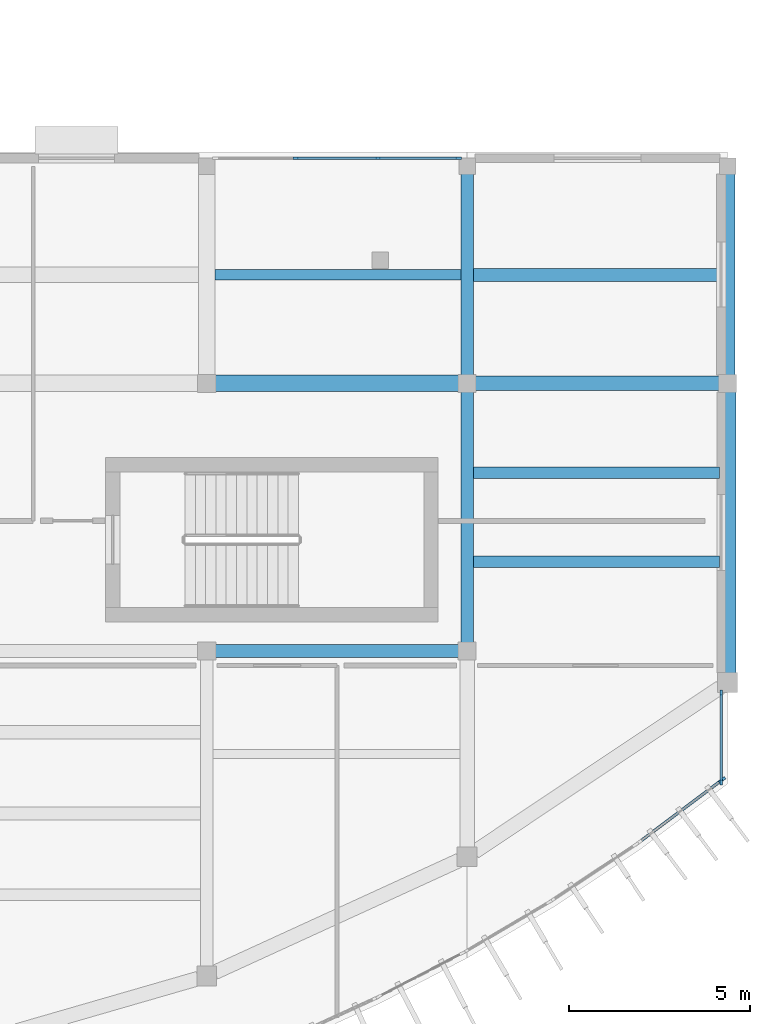
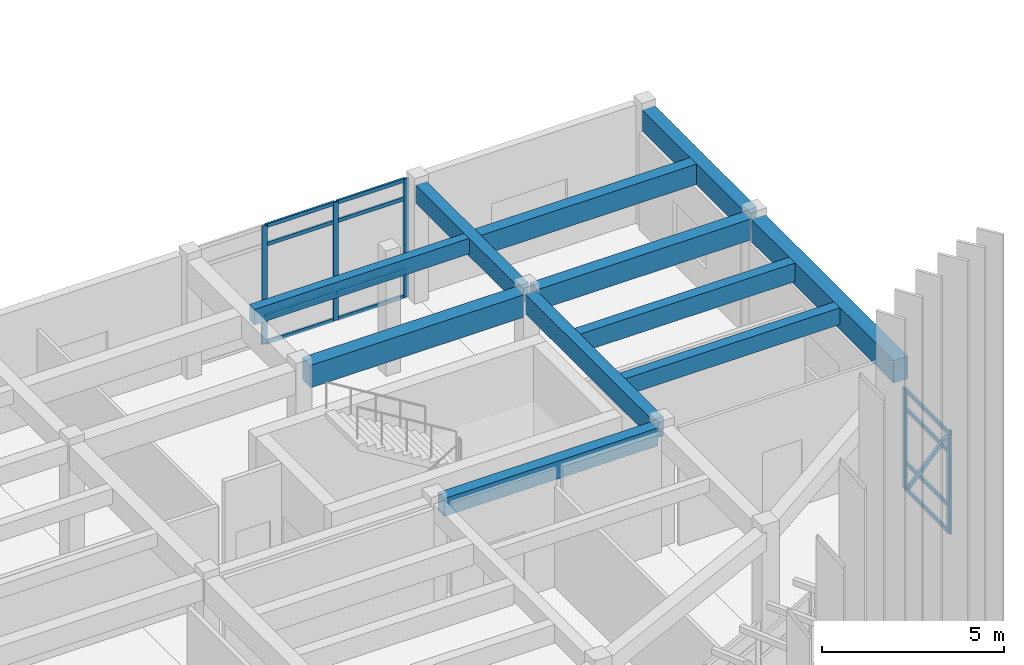
# One storey, part 22 of 47: 19 members, 11 beams, 3 elements without a shape of their own.
"""IFC4 building model written with IfcOpenShell, lengths in metres."""

from ifc_helpers import new_model, si_unit, direction, frame, origin, origin_2d, place, context, subcontext, project, spatial, rectangle, extrude, material, layer, layer_set, material_profile, profile_set, type_object, element, aggregate, save


model = new_model("IFC4")

# Units and contexts
model_context = context("Model", 3, precision=1e-05, world=origin(), true_north=direction((0.0, 1.0)))
body_context = subcontext(model_context, "Body", "Model", "MODEL_VIEW")
ifc_project = project(units=[si_unit("LENGTHUNIT", "METRE"), si_unit("AREAUNIT", "SQUARE_METRE"), si_unit("VOLUMEUNIT", "CUBIC_METRE"), si_unit("PLANEANGLEUNIT", "RADIAN"), si_unit("MASSUNIT", "GRAM", prefix="KILO")], contexts=[model_context])

# Site, building, storey
site_placement = place(None, origin())
site = spatial("IfcSite", under=ifc_project, at=site_placement, CompositionType="ELEMENT")
building_placement = place(site_placement, origin())
building = spatial("IfcBuilding", under=site, at=building_placement, Name="Brisavento Harbour Community Centre", CompositionType="ELEMENT")
storey_placement = place(building_placement, frame((0.0, 0.0, 8.699951171875)))
storey = spatial("IfcBuildingStorey", under=building, at=storey_placement, Name="L02", CompositionType="ELEMENT", Elevation=8.699951171875)

# Beams
ifc_material_1 = material(Name="Concrete C35/45", Category="concrete")
ifc_material_profile_1 = material_profile(ifc_material_1, rectangle(XDim=0.280029296875, YDim=0.52001953125, at=origin_2d()), Name="Concrete C35/45")
ifc_profile_set_1 = profile_set([ifc_material_profile_1], Name="Concrete C35/45")
beam_type_1 = type_object("IfcBeamType", Name="BM-JST-280x520", PredefinedType="JOIST", material=ifc_profile_set_1)
beam_1_placement = place(storey_placement, frame((158.625, 25.39990234375, 3.699951171875), z_axis=(1.0, 0.0, 0.0), x_axis=(0.0, 1.0, 0.0)))
element("IfcBeam", 1, at=beam_1_placement, inside=storey, type_object=beam_type_1, Name="L02 secondary floor joist 0322", PredefinedType="JOIST", context=body_context, shape_type="SweptSolid", body=[
    extrude(rectangle(XDim=0.280029296875, YDim=0.52001953125, at=origin_2d()), origin(), (0.0, 0.0, 1.0), 6.800048828125),
])
ifc_material_profile_2 = material_profile(ifc_material_1, rectangle(XDim=0.320068359375, YDim=0.56005859375, at=origin_2d()), Name="Concrete C35/45")
ifc_profile_set_2 = profile_set([ifc_material_profile_2], Name="Concrete C35/45")
beam_type_2 = type_object("IfcBeamType", Name="BM-JST-320x560", PredefinedType="JOIST", material=ifc_profile_set_2)
beam_2_placement = place(storey_placement, frame((165.77490234375, 17.466796875, 3.679931640625), z_axis=(1.0, 0.0, 0.0), x_axis=(0.0, 1.0, 0.0)))
element("IfcBeam", 2, at=beam_2_placement, inside=storey, type_object=beam_type_2, Name="L02 secondary floor joist 0325", PredefinedType="JOIST", context=body_context, shape_type="SweptSolid", body=[
    extrude(rectangle(XDim=0.320068359375, YDim=0.56005859375, at=origin_2d()), origin(), (0.0, 0.0, 1.0), 6.800048828125),
])
ifc_material_profile_3 = material_profile(ifc_material_1, rectangle(XDim=0.320068359375, YDim=0.6201171875, at=origin_2d()), Name="Concrete C35/45")
ifc_profile_set_3 = profile_set([ifc_material_profile_3], Name="Concrete C35/45")
beam_type_3 = type_object("IfcBeamType", Name="BM-JST-320x620", PredefinedType="JOIST", material=ifc_profile_set_3)
beam_3_placement = place(storey_placement, frame((165.77490234375, 19.933349609375, 3.650146484375), z_axis=(1.0, 0.0, 0.0), x_axis=(0.0, 1.0, 0.0)))
element("IfcBeam", 3, at=beam_3_placement, inside=storey, type_object=beam_type_3, Name="L02 secondary floor joist 0326", PredefinedType="JOIST", context=body_context, shape_type="SweptSolid", body=[
    extrude(rectangle(XDim=0.320068359375, YDim=0.6201171875, at=origin_2d()), origin(), (0.0, 0.0, 1.0), 6.800048828125),
])
ifc_material_profile_4 = material_profile(ifc_material_1, rectangle(XDim=0.360107421875, YDim=0.679931640625, at=origin_2d()), Name="Concrete C35/45")
ifc_profile_set_4 = profile_set([ifc_material_profile_4], Name="Concrete C35/45")
beam_type_4 = type_object("IfcBeamType", Name="BM-JST-360x680", PredefinedType="JOIST", material=ifc_profile_set_4)
beam_4_placement = place(storey_placement, frame((165.77490234375, 25.39990234375, 3.6201171875), z_axis=(1.0, 0.0, 0.0), x_axis=(0.0, 1.0, 0.0)))
element("IfcBeam", 4, at=beam_4_placement, inside=storey, type_object=beam_type_4, Name="L02 secondary floor joist 0327", PredefinedType="JOIST", context=body_context, shape_type="SweptSolid", body=[
    extrude(rectangle(XDim=0.360107421875, YDim=0.679931640625, at=origin_2d()), origin(), (0.0, 0.0, 1.0), 6.8251953125),
])
ifc_material_profile_5 = material_profile(ifc_material_1, rectangle(XDim=0.35009765625, YDim=0.60009765625, at=origin_2d()), Name="Concrete C35/45")
ifc_profile_set_5 = profile_set([ifc_material_profile_5], Name="Concrete C35/45")
beam_type_5 = type_object("IfcBeamType", Name="BM-RC-350x600", PredefinedType="BEAM", material=ifc_profile_set_5)
beam_5_placement = place(storey_placement, frame((158.6201171875, 15.0, 3.66015625), z_axis=(1.0, 0.0, 0.0), x_axis=(0.0, 1.0, 0.0)))
element("IfcBeam", 5, at=beam_5_placement, inside=storey, type_object=beam_type_5, Name="L02 primary girder X0554", PredefinedType="BEAM", context=body_context, shape_type="SweptSolid", body=[
    extrude(rectangle(XDim=0.35009765625, YDim=0.60009765625, at=origin_2d()), origin(), (0.0, 0.0, 1.0), 6.759765625),
])
beam_6_placement = place(storey_placement, frame((165.60009765625, 22.6201171875, 3.66015625), z_axis=(0.0, 1.0, 0.0), x_axis=(-1.0, 0.0, 0.0)))
element("IfcBeam", 6, at=beam_6_placement, inside=storey, type_object=beam_type_5, Name="L02 primary girder Y0629", PredefinedType="BEAM", context=body_context, shape_type="SweptSolid", body=[
    extrude(rectangle(XDim=0.35009765625, YDim=0.60009765625, at=origin_2d()), origin(), (0.0, 0.0, 1.0), 5.5849609375),
])
ifc_material_profile_6 = material_profile(ifc_material_1, rectangle(XDim=0.35009765625, YDim=0.64990234375, at=origin_2d()), Name="Concrete C35/45")
ifc_profile_set_6 = profile_set([ifc_material_profile_6], Name="Concrete C35/45")
beam_type_6 = type_object("IfcBeamType", Name="BM-RC-350x650", PredefinedType="BEAM", material=ifc_profile_set_6)
beam_7_placement = place(storey_placement, frame((165.60009765625, 15.219970703125, 3.635009765625), z_axis=(0.0, 1.0, 0.0), x_axis=(-1.0, 0.0, 0.0)))
element("IfcBeam", 7, at=beam_7_placement, inside=storey, type_object=beam_type_6, Name="L02 primary girder Y0628", PredefinedType="BEAM", context=body_context, shape_type="SweptSolid", body=[
    extrude(rectangle(XDim=0.35009765625, YDim=0.64990234375, at=origin_2d()), origin(), (0.0, 0.0, 1.0), 6.9599609375),
])
ifc_material_profile_7 = material_profile(ifc_material_1, rectangle(XDim=0.39990234375, YDim=0.699951171875, at=origin_2d()), Name="Concrete C35/45")
ifc_profile_set_7 = profile_set([ifc_material_profile_7], Name="Concrete C35/45")
beam_type_7 = type_object("IfcBeamType", Name="BM-RC-400x700", PredefinedType="BEAM", material=ifc_profile_set_7)
beam_8_placement = place(storey_placement, frame((165.820068359375, 22.39990234375, 3.610107421875), z_axis=(1.0, 0.0, 0.0), x_axis=(0.0, 1.0, 0.0)))
element("IfcBeam", 8, at=beam_8_placement, inside=storey, type_object=beam_type_7, Name="L02 primary girder X0562", PredefinedType="BEAM", context=body_context, shape_type="SweptSolid", body=[
    extrude(rectangle(XDim=0.39990234375, YDim=0.699951171875, at=origin_2d()), origin(), (0.0, 0.0, 1.0), 6.760009765625),
])
beam_9_placement = place(storey_placement, frame((172.800048828125, 22.6201171875, 3.610107421875), z_axis=(0.0, 1.0, 0.0), x_axis=(-1.0, 0.0, 0.0)))
element("IfcBeam", 9, at=beam_9_placement, inside=storey, type_object=beam_type_7, Name="L02 primary girder Y0632", PredefinedType="BEAM", context=body_context, shape_type="SweptSolid", body=[
    extrude(rectangle(XDim=0.39990234375, YDim=0.699951171875, at=origin_2d()), origin(), (0.0, 0.0, 1.0), 5.5849609375),
])
ifc_material_profile_8 = material_profile(ifc_material_1, rectangle(XDim=0.449951171875, YDim=0.75, at=origin_2d()), Name="Concrete C35/45")
ifc_profile_set_8 = profile_set([ifc_material_profile_8], Name="Concrete C35/45")
beam_type_8 = type_object("IfcBeamType", Name="BM-RC-450x750", PredefinedType="BEAM", material=ifc_profile_set_8)
beam_10_placement = place(storey_placement, frame((158.6201171875, 22.39990234375, 3.5849609375), z_axis=(1.0, 0.0, 0.0), x_axis=(0.0, 1.0, 0.0)))
element("IfcBeam", 10, at=beam_10_placement, inside=storey, type_object=beam_type_8, Name="L02 primary girder X0561", PredefinedType="BEAM", context=body_context, shape_type="SweptSolid", body=[
    extrude(rectangle(XDim=0.449951171875, YDim=0.75, at=origin_2d()), origin(), (0.0, 0.0, 1.0), 6.759765625),
])
beam_11_placement = place(storey_placement, frame((172.800048828125, 14.373046875, 3.5849609375), z_axis=(0.0, 1.0, 0.0), x_axis=(-1.0, 0.0, 0.0)))
element("IfcBeam", 11, at=beam_11_placement, inside=storey, type_object=beam_type_8, Name="L02 primary girder Y0631", PredefinedType="BEAM", context=body_context, shape_type="SweptSolid", body=[
    extrude(rectangle(XDim=0.449951171875, YDim=0.75, at=origin_2d()), origin(), (0.0, 0.0, 1.0), 7.806884765625),
])

# Curtain wall, members
ifc_material_2 = material(Name="Marine-anodised aluminium AW-6063-T6", Category="aluminium")
ifc_layer_1 = layer(ifc_material_2, 0.179931640625, Name="Marine-anodised aluminium AW-6063-T6")
ifc_layer_set_1 = layer_set([ifc_layer_1], Name="Marine-anodised aluminium AW-6063-T6")
curtain_wall_type_1 = type_object("IfcCurtainWallType", Name="CW-SYS-05", PredefinedType="USERDEFINED", material=ifc_layer_set_1)
curtain_wall_1_placement = place(storey_placement, origin())
curtain_wall_1 = element("IfcCurtainWall", 12, at=curtain_wall_1_placement, inside=storey, type_object=curtain_wall_type_1, Name="L02 V3 unitised curtain wall 145", ObjectType="UNITISED CURTAIN WALL", PredefinedType="USERDEFINED")
ifc_material_profile_9 = material_profile(ifc_material_2, rectangle(XDim=0.06494140625, YDim=0.1650390625, at=origin_2d()), Name="Marine-anodised aluminium AW-6063-T6")
ifc_profile_set_9 = profile_set([ifc_material_profile_9], Name="Marine-anodised aluminium AW-6063-T6")
member_type_1 = type_object("IfcMemberType", Name="CWM-01", PredefinedType="MULLION", material=ifc_profile_set_9)
member_1_placement = place(storey_placement, frame((172.6201171875, 13.83544921875, 0.0), z_axis=(0.0, 0.0, 1.0), x_axis=(1.0, 0.0, 0.0)))
member_1 = element("IfcMember", 13, at=member_1_placement, type_object=member_type_1, Name="CW-05 mullion 1", PredefinedType="MULLION", context=body_context, shape_type="SweptSolid", body=[
    extrude(rectangle(XDim=0.06494140625, YDim=0.1650390625, at=origin_2d()), origin(), (0.0, 0.0, 1.0), 3.360107421875),
])
member_2_placement = place(storey_placement, frame((172.6201171875, 11.378173828125, 0.0), z_axis=(0.0, 0.0, 1.0), x_axis=(1.0, 0.0, 0.0)))
member_2 = element("IfcMember", 14, at=member_2_placement, type_object=member_type_1, Name="CW-05 mullion 2", PredefinedType="MULLION", context=body_context, shape_type="SweptSolid", body=[
    extrude(rectangle(XDim=0.06494140625, YDim=0.1650390625, at=origin_2d()), origin(), (0.0, 0.0, 1.0), 3.360107421875),
])

ifc_layer_2 = layer(ifc_material_2, 0.179931640625, Name="Marine-anodised aluminium AW-6063-T6")
ifc_layer_set_2 = layer_set([ifc_layer_2], Name="Marine-anodised aluminium AW-6063-T6")
curtain_wall_type_2 = type_object("IfcCurtainWallType", Name="CW-SYS-09", PredefinedType="USERDEFINED", material=ifc_layer_set_2)
curtain_wall_2_placement = place(storey_placement, origin())
curtain_wall_2 = element("IfcCurtainWall", 15, at=curtain_wall_2_placement, inside=storey, type_object=curtain_wall_type_2, Name="L02 V3 unitised curtain wall 149", ObjectType="UNITISED CURTAIN WALL", PredefinedType="USERDEFINED")
member_3_placement = place(storey_placement, frame((160.8701171875, 28.6201171875, 0.0), z_axis=(0.0, 0.0, 1.0), x_axis=(0.0, 1.0, 0.0)))
member_3 = element("IfcMember", 16, at=member_3_placement, type_object=member_type_1, Name="CW-09 mullion 2", PredefinedType="MULLION", context=body_context, shape_type="SweptSolid", body=[
    extrude(rectangle(XDim=0.06494140625, YDim=0.1650390625, at=origin_2d()), origin(), (0.0, 0.0, 1.0), 3.9599609375),
])
member_4_placement = place(storey_placement, frame((163.1298828125, 28.6201171875, 0.0), z_axis=(0.0, 0.0, 1.0), x_axis=(0.0, 1.0, 0.0)))
member_4 = element("IfcMember", 17, at=member_4_placement, type_object=member_type_1, Name="CW-09 mullion 3", PredefinedType="MULLION", context=body_context, shape_type="SweptSolid", body=[
    extrude(rectangle(XDim=0.06494140625, YDim=0.1650390625, at=origin_2d()), origin(), (0.0, 0.0, 1.0), 3.9599609375),
])
member_5_placement = place(storey_placement, frame((165.357421875, 28.6201171875, 0.0), z_axis=(0.0, 0.0, 1.0), x_axis=(0.0, 1.0, 0.0)))
member_5 = element("IfcMember", 18, at=member_5_placement, type_object=member_type_1, Name="CW-09 mullion 4", PredefinedType="MULLION", context=body_context, shape_type="SweptSolid", body=[
    extrude(rectangle(XDim=0.06494140625, YDim=0.1650390625, at=origin_2d()), origin(), (0.0, 0.0, 1.0), 3.9599609375),
])

# Curtain wall, member
ifc_layer_3 = layer(ifc_material_2, 0.179931640625, Name="Marine-anodised aluminium AW-6063-T6")
ifc_layer_set_3 = layer_set([ifc_layer_3], Name="Marine-anodised aluminium AW-6063-T6")
curtain_wall_type_3 = type_object("IfcCurtainWallType", Name="CW-SYS-04", PredefinedType="USERDEFINED", material=ifc_layer_set_3)
curtain_wall_3_placement = place(storey_placement, origin())
curtain_wall_3 = element("IfcCurtainWall", 19, at=curtain_wall_3_placement, inside=storey, type_object=curtain_wall_type_3, Name="L02 V3 unitised curtain wall 144", ObjectType="UNITISED CURTAIN WALL", PredefinedType="USERDEFINED")
ifc_material_profile_10 = material_profile(ifc_material_2, rectangle(XDim=0.080078125, YDim=0.2099609375, at=origin_2d()), Name="Marine-anodised aluminium AW-6063-T6")
ifc_profile_set_10 = profile_set([ifc_material_profile_10], Name="Marine-anodised aluminium AW-6063-T6")
member_type_2 = type_object("IfcMemberType", Name="CWM-04", PredefinedType="MULLION", material=ifc_profile_set_10)
member_6_placement = place(storey_placement, frame((172.6455078125, 11.436767578125, 0.0), z_axis=(0.0, 0.0, 1.0), x_axis=(0.600259014917, -0.79980567328, 0.0)))
member_6 = element("IfcMember", 20, at=member_6_placement, type_object=member_type_2, Name="CW-04 mullion 1", PredefinedType="MULLION", context=body_context, shape_type="SweptSolid", body=[
    extrude(rectangle(XDim=0.080078125, YDim=0.2099609375, at=origin_2d()), origin(), (0.0, 0.0, 1.0), 3.360107421875),
])

# Member
ifc_material_profile_11 = material_profile(ifc_material_2, rectangle(XDim=0.06494140625, YDim=0.125, at=origin_2d()), Name="Marine-anodised aluminium AW-6063-T6")
ifc_profile_set_11 = profile_set([ifc_material_profile_11], Name="Marine-anodised aluminium AW-6063-T6")
member_type_3 = type_object("IfcMemberType", Name="CWT-01", PredefinedType="USERDEFINED", material=ifc_profile_set_11)
member_7_placement = place(storey_placement, frame((172.6201171875, 13.802978515625, 0.032470703125), z_axis=(0.0, -1.0, 0.0), x_axis=(1.0, 0.0, 0.0)))
member_7 = element("IfcMember", 21, at=member_7_placement, type_object=member_type_3, Name="CW-05 transom 1.1", ObjectType="TRANSOM", PredefinedType="USERDEFINED", context=body_context, shape_type="SweptSolid", body=[
    extrude(rectangle(XDim=0.06494140625, YDim=0.125, at=origin_2d()), origin(), (0.0, 0.0, 1.0), 2.392333984375),
])

member_8_placement = place(storey_placement, frame((172.6201171875, 13.802978515625, 0.900146484375), z_axis=(0.0, -1.0, 0.0), x_axis=(1.0, 0.0, 0.0)))
member_8 = element("IfcMember", 22, at=member_8_placement, type_object=member_type_3, Name="CW-05 transom 1.2", ObjectType="TRANSOM", PredefinedType="USERDEFINED", context=body_context, shape_type="SweptSolid", body=[
    extrude(rectangle(XDim=0.06494140625, YDim=0.125, at=origin_2d()), origin(), (0.0, 0.0, 1.0), 2.392333984375),
])

member_9_placement = place(storey_placement, frame((172.6201171875, 13.802978515625, 2.7099609375), z_axis=(0.0, -1.0, 0.0), x_axis=(1.0, 0.0, 0.0)))
member_9 = element("IfcMember", 23, at=member_9_placement, type_object=member_type_3, Name="CW-05 transom 1.3", ObjectType="TRANSOM", PredefinedType="USERDEFINED", context=body_context, shape_type="SweptSolid", body=[
    extrude(rectangle(XDim=0.06494140625, YDim=0.125, at=origin_2d()), origin(), (0.0, 0.0, 1.0), 2.392333984375),
])

member_10_placement = place(storey_placement, frame((172.6201171875, 13.802978515625, 3.32763671875), z_axis=(0.0, -1.0, 0.0), x_axis=(1.0, 0.0, 0.0)))
member_10 = element("IfcMember", 24, at=member_10_placement, type_object=member_type_3, Name="CW-05 transom 1.4", ObjectType="TRANSOM", PredefinedType="USERDEFINED", context=body_context, shape_type="SweptSolid", body=[
    extrude(rectangle(XDim=0.06494140625, YDim=0.125, at=origin_2d()), origin(), (0.0, 0.0, 1.0), 2.392333984375),
])

aggregate(curtain_wall_1, [member_1, member_2, member_7, member_8, member_9, member_10])

member_11_placement = place(storey_placement, frame((160.902587890625, 28.6201171875, 0.032470703125), z_axis=(1.0, 0.0, 0.0), x_axis=(0.0, 1.0, 0.0)))
member_11 = element("IfcMember", 25, at=member_11_placement, type_object=member_type_3, Name="CW-09 transom 2.1", ObjectType="TRANSOM", PredefinedType="USERDEFINED", context=body_context, shape_type="SweptSolid", body=[
    extrude(rectangle(XDim=0.06494140625, YDim=0.125, at=origin_2d()), origin(), (0.0, 0.0, 1.0), 2.19482421875),
])

member_12_placement = place(storey_placement, frame((160.902587890625, 28.6201171875, 0.900146484375), z_axis=(1.0, 0.0, 0.0), x_axis=(0.0, 1.0, 0.0)))
member_12 = element("IfcMember", 26, at=member_12_placement, type_object=member_type_3, Name="CW-09 transom 2.2", ObjectType="TRANSOM", PredefinedType="USERDEFINED", context=body_context, shape_type="SweptSolid", body=[
    extrude(rectangle(XDim=0.06494140625, YDim=0.125, at=origin_2d()), origin(), (0.0, 0.0, 1.0), 2.19482421875),
])

member_13_placement = place(storey_placement, frame((160.902587890625, 28.6201171875, 3.31005859375), z_axis=(1.0, 0.0, 0.0), x_axis=(0.0, 1.0, 0.0)))
member_13 = element("IfcMember", 27, at=member_13_placement, type_object=member_type_3, Name="CW-09 transom 2.3", ObjectType="TRANSOM", PredefinedType="USERDEFINED", context=body_context, shape_type="SweptSolid", body=[
    extrude(rectangle(XDim=0.06494140625, YDim=0.125, at=origin_2d()), origin(), (0.0, 0.0, 1.0), 2.19482421875),
])

member_14_placement = place(storey_placement, frame((160.902587890625, 28.6201171875, 3.927490234375), z_axis=(1.0, 0.0, 0.0), x_axis=(0.0, 1.0, 0.0)))
member_14 = element("IfcMember", 28, at=member_14_placement, type_object=member_type_3, Name="CW-09 transom 2.4", ObjectType="TRANSOM", PredefinedType="USERDEFINED", context=body_context, shape_type="SweptSolid", body=[
    extrude(rectangle(XDim=0.06494140625, YDim=0.125, at=origin_2d()), origin(), (0.0, 0.0, 1.0), 2.19482421875),
])

member_15_placement = place(storey_placement, frame((163.16259765625, 28.6201171875, 0.032470703125), z_axis=(1.0, 0.0, 0.0), x_axis=(0.0, 1.0, 0.0)))
member_15 = element("IfcMember", 29, at=member_15_placement, type_object=member_type_3, Name="CW-09 transom 3.1", ObjectType="TRANSOM", PredefinedType="USERDEFINED", context=body_context, shape_type="SweptSolid", body=[
    extrude(rectangle(XDim=0.06494140625, YDim=0.125, at=origin_2d()), origin(), (0.0, 0.0, 1.0), 2.162353515625),
])

member_16_placement = place(storey_placement, frame((163.16259765625, 28.6201171875, 0.900146484375), z_axis=(1.0, 0.0, 0.0), x_axis=(0.0, 1.0, 0.0)))
member_16 = element("IfcMember", 30, at=member_16_placement, type_object=member_type_3, Name="CW-09 transom 3.2", ObjectType="TRANSOM", PredefinedType="USERDEFINED", context=body_context, shape_type="SweptSolid", body=[
    extrude(rectangle(XDim=0.06494140625, YDim=0.125, at=origin_2d()), origin(), (0.0, 0.0, 1.0), 2.162353515625),
])

member_17_placement = place(storey_placement, frame((163.16259765625, 28.6201171875, 3.31005859375), z_axis=(1.0, 0.0, 0.0), x_axis=(0.0, 1.0, 0.0)))
member_17 = element("IfcMember", 31, at=member_17_placement, type_object=member_type_3, Name="CW-09 transom 3.3", ObjectType="TRANSOM", PredefinedType="USERDEFINED", context=body_context, shape_type="SweptSolid", body=[
    extrude(rectangle(XDim=0.06494140625, YDim=0.125, at=origin_2d()), origin(), (0.0, 0.0, 1.0), 2.162353515625),
])

member_18_placement = place(storey_placement, frame((163.16259765625, 28.6201171875, 3.927490234375), z_axis=(1.0, 0.0, 0.0), x_axis=(0.0, 1.0, 0.0)))
member_18 = element("IfcMember", 32, at=member_18_placement, type_object=member_type_3, Name="CW-09 transom 3.4", ObjectType="TRANSOM", PredefinedType="USERDEFINED", context=body_context, shape_type="SweptSolid", body=[
    extrude(rectangle(XDim=0.06494140625, YDim=0.125, at=origin_2d()), origin(), (0.0, 0.0, 1.0), 2.162353515625),
])

aggregate(curtain_wall_2, [member_3, member_4, member_5, member_11, member_12, member_13, member_14, member_15, member_16, member_17, member_18])

ifc_material_profile_12 = material_profile(ifc_material_2, rectangle(XDim=0.080078125, YDim=0.155029296875, at=origin_2d()), Name="Marine-anodised aluminium AW-6063-T6")
ifc_profile_set_12 = profile_set([ifc_material_profile_12], Name="Marine-anodised aluminium AW-6063-T6")
member_type_4 = type_object("IfcMemberType", Name="CWT-04", PredefinedType="USERDEFINED", material=ifc_profile_set_12)
member_19_placement = place(storey_placement, frame((172.613525390625, 11.412841796875, 3.320068359375), z_axis=(-0.799791037869, -0.600278515144, 0.0), x_axis=(0.600278515144, -0.799791037869, 0.0)))
member_19 = element("IfcMember", 33, at=member_19_placement, type_object=member_type_4, Name="CW-04 transom 1.4", ObjectType="TRANSOM", PredefinedType="USERDEFINED", context=body_context, shape_type="SweptSolid", body=[
    extrude(rectangle(XDim=0.080078125, YDim=0.155029296875, at=origin_2d()), origin(), (0.0, 0.0, 1.0), 2.8046875),
])

aggregate(curtain_wall_3, [member_6, member_19])

save(model, "model.ifc")
